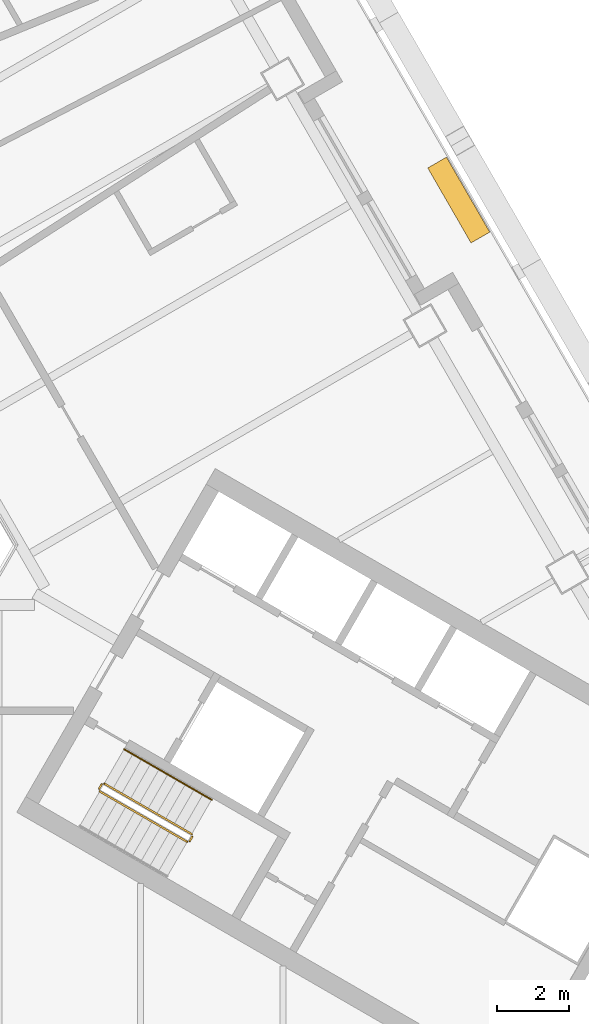
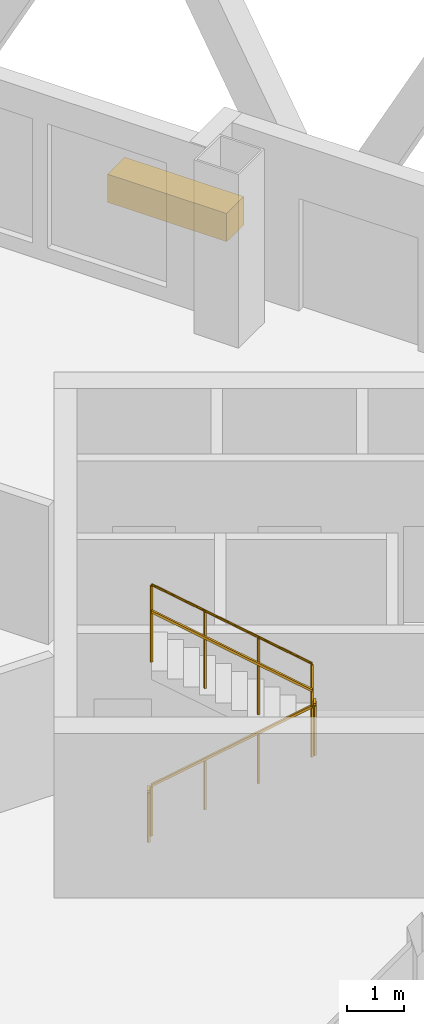
# One storey, part 11 of 13: 5 railings, 1 covering.
"""IFC4 building model written with IfcOpenShell, lengths in metres."""

from ifc_helpers import new_model, si_unit, direction, frame, origin, origin_2d, place, context, subcontext, project, spatial, rectangle, circle, extrude, material, type_object, element, save


model = new_model("IFC4")

# Units and contexts
model_context = context("Model", 3, precision=1e-05, world=origin(), true_north=direction((0.0, 1.0)))
body_context = subcontext(model_context, "Body", "Model", "MODEL_VIEW")
ifc_project = project(units=[si_unit("LENGTHUNIT", "METRE"), si_unit("AREAUNIT", "SQUARE_METRE"), si_unit("VOLUMEUNIT", "CUBIC_METRE"), si_unit("PLANEANGLEUNIT", "RADIAN"), si_unit("MASSUNIT", "GRAM", prefix="KILO")], contexts=[model_context])

# Site, building, storey
site_placement = place(None, origin())
site = spatial("IfcSite", under=ifc_project, at=site_placement, CompositionType="ELEMENT")
building_placement = place(site_placement, origin())
building = spatial("IfcBuilding", under=site, at=building_placement, Name="Apuvela Tower Hotel", CompositionType="ELEMENT")
storey_placement = place(building_placement, frame((0.0, 0.0, 105.699951171875)))
storey = spatial("IfcBuildingStorey", under=building, at=storey_placement, Name="L24", CompositionType="ELEMENT", Elevation=105.699951171875)

# Railings
ifc_material_1 = material(Name="Steel S275 balustrade", Category="steel")
railing_type_1 = type_object("IfcRailingType", Name="COR-GUARD-1100", PredefinedType="GUARDRAIL", material=ifc_material_1)
railing_1_placement = place(storey_placement, frame((10.718994140625, -10.63427734375, 0.168212890625)))
element("IfcRailing", 1, at=railing_1_placement, inside=storey, type_object=railing_type_1, Name="L24 ST3 stair guard 1", PredefinedType="GUARDRAIL", context=body_context, shape_type="SweptSolid", body=[
    extrude(rectangle(XDim=0.048095703125, YDim=0.048095703125, at=origin_2d()), frame((0.0, 0.0, 1.076171875), z_axis=(0.742390482028, -0.42860119049, 0.514934356695), x_axis=(0.49998411664, 0.866034573852, 0.0)), (0.0, 0.0, 1.0), 3.26611328125),
    extrude(rectangle(XDim=0.0419921875, YDim=0.0419921875, at=origin_2d()), origin(), (0.0, 0.0, 1.0), 1.052001953125),
    extrude(rectangle(XDim=0.0419921875, YDim=0.0419921875, at=origin_2d()), frame((0.808349609375, -0.466552734375, 0.560546875)), (0.0, 0.0, 1.0), 1.052001953125),
    extrude(rectangle(XDim=0.0419921875, YDim=0.0419921875, at=origin_2d()), frame((1.616455078125, -0.933349609375, 1.121337890625)), (0.0, 0.0, 1.0), 1.052001953125),
    extrude(rectangle(XDim=0.0419921875, YDim=0.0419921875, at=origin_2d()), frame((2.4248046875, -1.39990234375, 1.681884765625)), (0.0, 0.0, 1.0), 1.052001953125),
])
railing_2_placement = place(storey_placement, frame((13.212158203125, -12.015869140625, 1.85009765625)))
element("IfcRailing", 2, at=railing_2_placement, inside=storey, type_object=railing_type_1, Name="L24 ST3 stair guard 2", PredefinedType="GUARDRAIL", context=body_context, shape_type="SweptSolid", body=[
    extrude(rectangle(XDim=0.048095703125, YDim=0.048095703125, at=origin_2d()), frame((0.0, 0.0, 1.076171875), z_axis=(0.499816412211, 0.866131372301, 0.0), x_axis=(-0.866131372301, 0.499816412211, 0.0)), (0.0, 0.0, 1.0), 0.14990234375),
    extrude(rectangle(XDim=0.0419921875, YDim=0.0419921875, at=origin_2d()), origin(), (0.0, 0.0, 1.0), 1.052001953125),
    extrude(rectangle(XDim=0.0419921875, YDim=0.0419921875, at=origin_2d()), frame((0.074951171875, 0.1298828125, 0.0)), (0.0, 0.0, 1.0), 1.052001953125),
])
railing_3_placement = place(storey_placement, frame((13.268798828125, -11.817626953125, 2.018310546875)))
element("IfcRailing", 3, at=railing_3_placement, inside=storey, type_object=railing_type_1, Name="L24 ST3 stair guard 3", PredefinedType="GUARDRAIL", context=body_context, shape_type="SweptSolid", body=[
    extrude(rectangle(XDim=0.048095703125, YDim=0.048095703125, at=origin_2d()), frame((0.0, 0.0, 1.076171875), z_axis=(-0.74241905619, 0.428617687091, 0.514879426), x_axis=(-0.49998411664, -0.866034573852, 0.0)), (0.0, 0.0, 1.0), 3.26611328125),
    extrude(rectangle(XDim=0.0419921875, YDim=0.0419921875, at=origin_2d()), origin(), (0.0, 0.0, 1.0), 1.052001953125),
    extrude(rectangle(XDim=0.0419921875, YDim=0.0419921875, at=origin_2d()), frame((-0.808349609375, 0.466552734375, 0.560546875)), (0.0, 0.0, 1.0), 1.052001953125),
    extrude(rectangle(XDim=0.0419921875, YDim=0.0419921875, at=origin_2d()), frame((-1.616455078125, 0.933349609375, 1.12109375)), (0.0, 0.0, 1.0), 1.052001953125),
    extrude(rectangle(XDim=0.0419921875, YDim=0.0419921875, at=origin_2d()), frame((-2.4248046875, 1.39990234375, 1.681640625)), (0.0, 0.0, 1.0), 1.052001953125),
])
railing_4_placement = place(storey_placement, frame((10.70068359375, -10.56591796875, 0.0)))
element("IfcRailing", 4, at=railing_4_placement, inside=storey, type_object=railing_type_1, Name="L24 ST3 stair guard 4", PredefinedType="GUARDRAIL", context=body_context, shape_type="SweptSolid", body=[
    extrude(rectangle(XDim=0.048095703125, YDim=0.048095703125, at=origin_2d()), frame((0.0, 0.0, 1.076171875), z_axis=(0.499816412211, 0.866131372301, 0.0), x_axis=(-0.866131372301, 0.499816412211, 0.0)), (0.0, 0.0, 1.0), 0.14990234375),
    extrude(rectangle(XDim=0.0419921875, YDim=0.0419921875, at=origin_2d()), origin(), (0.0, 0.0, 1.0), 1.052001953125),
    extrude(rectangle(XDim=0.0419921875, YDim=0.0419921875, at=origin_2d()), frame((0.074951171875, 0.1298828125, 0.0)), (0.0, 0.0, 1.0), 1.052001953125),
])
ifc_material_2 = material(Name="Stainless steel 316 handrail", Category="steel")
railing_type_2 = type_object("IfcRailingType", Name="COR-HANDRAIL-900", PredefinedType="HANDRAIL", material=ifc_material_2)
railing_5_placement = place(storey_placement, frame((13.81884765625, -10.864990234375, 2.018310546875)))
element("IfcRailing", 5, at=railing_5_placement, inside=storey, type_object=railing_type_2, Name="L24 ST3 stair handrail 2", PredefinedType="HANDRAIL", context=body_context, shape_type="SweptSolid", body=[
    extrude(circle(Radius=0.02392578125, at=origin_2d()), frame((0.0, 0.0, 0.8759765625), z_axis=(-0.74241905619, 0.428617687091, 0.514879426), x_axis=(-0.49998411664, -0.866034573852, 0.0)), (0.0, 0.0, 1.0), 3.26611328125),
    extrude(rectangle(XDim=0.0419921875, YDim=0.0419921875, at=origin_2d()), origin(), (0.0, 0.0, 1.0), 0.851806640625),
    extrude(rectangle(XDim=0.0419921875, YDim=0.0419921875, at=origin_2d()), frame((-0.808349609375, 0.466552734375, 0.560546875)), (0.0, 0.0, 1.0), 0.851806640625),
    extrude(rectangle(XDim=0.0419921875, YDim=0.0419921875, at=origin_2d()), frame((-1.616455078125, 0.933349609375, 1.12109375)), (0.0, 0.0, 1.0), 0.851806640625),
    extrude(rectangle(XDim=0.0419921875, YDim=0.0419921875, at=origin_2d()), frame((-2.4248046875, 1.39990234375, 1.681640625)), (0.0, 0.0, 1.0), 0.851806640625),
])

# Covering
ifc_material_3 = material(Name="Planting substrate and soil, planted")
covering_type = type_object("IfcCoveringType", Name="ENV-PLANTER-2400x600", PredefinedType="USERDEFINED", material=ifc_material_3)
covering_placement = place(storey_placement, frame((20.6708984375, 5.756591796875, 0.0), z_axis=(0.0, 0.0, 1.0), x_axis=(-0.5, 0.866025403784, 0.0)))
element("IfcCovering", 6, at=covering_placement, inside=storey, type_object=covering_type, Name="Planter NE2", ObjectType="PLANTER", PredefinedType="USERDEFINED", context=body_context, shape_type="SweptSolid", body=[
    extrude(rectangle(XDim=2.39990234375, YDim=0.60009765625, at=origin_2d()), origin(), (0.0, 0.0, 1.0), 0.60009765625),
])

save(model, "model.ifc")
